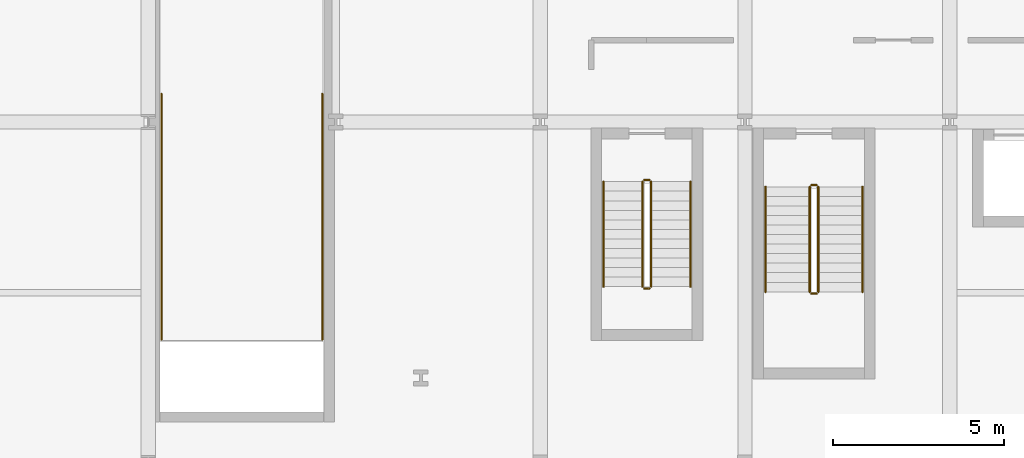
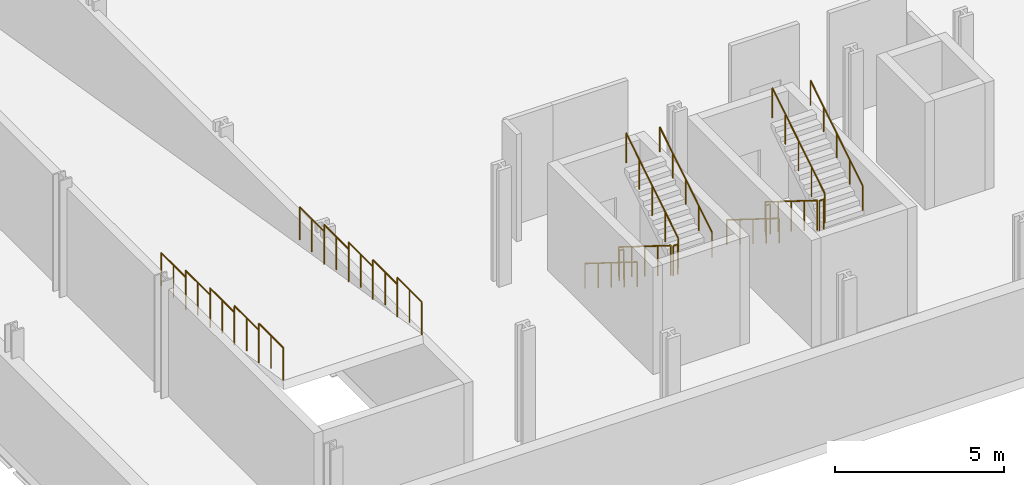
# One storey, part 10 of 12: 22 railings.
"""IFC4 building model written with IfcOpenShell, lengths in metres."""

import ifcopenshell
import ifcopenshell.guid

model = None  # the IFC model being written
_history = None  # IfcOwnerHistory: only IFC2X3 demands one
_inside = {}  # id of a spatial element -> (the spatial element, [elements in it])
_under = {}  # id of a project, library or spatial element -> (it, [spatial elements below it])
_declared = {}  # id of a project -> (the project, [libraries it declares])
_typed = {}  # id of a type object -> (the type object, [elements of that type])
_made_of = {}  # id of a material, layer set ... -> (it, [elements and type objects made of it])


def new_model(schema):
    """Start an empty IFC model of exactly this schema.

    Asked for "IFC4X3", IfcOpenShell would pick the latest addendum, in which some entities
    have other attributes; the version numbers below select the first issue.
    IFC2X3 requires an IfcOwnerHistory on every rooted entity: one is made here for all.
    """
    global model, _history
    if schema == "IFC4X3":
        model = ifcopenshell.file(schema_version=(4, 3, 0, 0))
    else:
        model = ifcopenshell.file(schema=schema)
    _inside.clear()
    _under.clear()
    _declared.clear()
    _typed.clear()
    _made_of.clear()
    _history = None
    if model.schema == "IFC2X3":
        org = make("IfcOrganization", Name="unknown")
        user = make(
            "IfcPersonAndOrganization",
            ThePerson=make("IfcPerson", FamilyName="unknown"),
            TheOrganization=org,
        )
        app = make(
            "IfcApplication",
            ApplicationDeveloper=org,
            Version="unknown",
            ApplicationFullName="unknown",
            ApplicationIdentifier="unknown",
        )
        _history = make(
            "IfcOwnerHistory",
            OwningUser=user,
            OwningApplication=app,
            ChangeAction="ADDED",
            CreationDate=0,
        )
    return model


def make(cls, **values):
    """One entity of the class cls with the attributes given. An attribute that is None is left unset."""
    return model.create_entity(
        cls, **{name: value for name, value in values.items() if value is not None}
    )


def rooted(cls, **values):
    """An entity with a GlobalId (a new one), such as an element, a storey or a relation."""
    return make(cls, GlobalId=ifcopenshell.guid.new(), OwnerHistory=_history, **values)


def si_unit(unit_type, name, prefix=None):
    """IfcSIUnit, for example si_unit("LENGTHUNIT", "METRE", prefix="MILLI")."""
    return make("IfcSIUnit", UnitType=unit_type, Prefix=prefix, Name=name)


def assignment(units):
    """IfcUnitAssignment: the units of a project."""
    return None if units is None else make("IfcUnitAssignment", Units=units)


def point(xyz):
    """IfcCartesianPoint."""
    return None if xyz is None else make("IfcCartesianPoint", Coordinates=xyz)


def direction(xyz):
    """IfcDirection."""
    return None if xyz is None else make("IfcDirection", DirectionRatios=xyz)


def frame(location, z_axis=None, x_axis=None):
    """IfcAxis2Placement3D, a coordinate frame: its origin and axes. An axis left out is left unset."""
    return make(
        "IfcAxis2Placement3D",
        Location=point(location),
        Axis=direction(z_axis),
        RefDirection=direction(x_axis),
    )


def frame_2d(location, x_axis=None):
    """IfcAxis2Placement2D, a coordinate frame in the plane: its origin and x axis."""
    return make(
        "IfcAxis2Placement2D", Location=point(location), RefDirection=direction(x_axis)
    )


def origin():
    """The frame at (0, 0, 0) with its axes left unset."""
    return frame((0.0, 0.0, 0.0))


def origin_2d():
    """The frame at (0, 0) in the plane with its x axis left unset."""
    return frame_2d((0.0, 0.0))


def place(relative_to, where):
    """IfcLocalPlacement: puts the frame where relative to a parent placement (None: the world)."""
    return make(
        "IfcLocalPlacement", PlacementRelTo=relative_to, RelativePlacement=where
    )


def context(
    kind, dimensions, precision=None, world=None, true_north=None, identifier=None
):
    """IfcGeometricRepresentationContext, for example the 3D "Model" context."""
    return make(
        "IfcGeometricRepresentationContext",
        ContextIdentifier=identifier,
        ContextType=kind,
        CoordinateSpaceDimension=dimensions,
        Precision=precision,
        WorldCoordinateSystem=world,
        TrueNorth=true_north,
    )


def subcontext(parent, identifier, kind, view, scale=None):
    """IfcGeometricRepresentationSubContext, for example "Body" below "Model"."""
    return make(
        "IfcGeometricRepresentationSubContext",
        ContextIdentifier=identifier,
        ContextType=kind,
        ParentContext=parent,
        TargetScale=scale,
        TargetView=view,
    )


def project(units=None, contexts=None):
    """IfcProject with its units and contexts."""
    return rooted(
        "IfcProject",
        Name="project",
        RepresentationContexts=contexts,
        UnitsInContext=assignment(units),
    )


def spatial(cls, under=None, at=None, **own):
    """A site, building, storey or space (cls), placed at a placement, below another one or the project."""
    s = rooted(cls, ObjectPlacement=at, **own)
    if under is not None:
        _under.setdefault(under.id(), (under, []))[1].append(s)
    return s


def profile(cls, at=None, kind="AREA", **sizes):
    """A parametric profile (cls). Its sizes go by their IFC names, for example OverallWidth=200.0."""
    return make(cls, ProfileType=kind, Position=at, **sizes)


def circle(**sizes):
    """IfcCircleProfileDef."""
    return profile("IfcCircleProfileDef", **sizes)


def extrude(swept, where, along, depth):
    """IfcExtrudedAreaSolid: the profile swept, set in the frame where, extruded along a direction by depth."""
    return make(
        "IfcExtrudedAreaSolid",
        SweptArea=swept,
        Position=where,
        ExtrudedDirection=direction(along),
        Depth=depth,
    )


def shape(context_of_items, identifier, shape_type, items):
    """IfcShapeRepresentation: the items that make up one representation, for example the "Body"."""
    return make(
        "IfcShapeRepresentation",
        ContextOfItems=context_of_items,
        RepresentationIdentifier=identifier,
        RepresentationType=shape_type,
        Items=items,
    )


def material(Name=None, Category=None):
    """IfcMaterial."""
    return make("IfcMaterial", Name=Name, Category=Category)


def made_of(thing, what):
    """Note that an element or type object is made of a material, layer set ...; save() writes the relation."""
    if what is not None:
        _made_of.setdefault(what.id(), (what, []))[1].append(thing)
    return thing


def type_object(cls, material=None, **own):
    """A type object (cls), such as IfcWallType, which elements share."""
    return made_of(rooted(cls, **own), material)


def element(
    cls,
    number,
    at=None,
    inside=None,
    cuts=None,
    type_object=None,
    material=None,
    context=None,
    identifier="Body",
    shape_type=None,
    held_by="IfcProductDefinitionShape",
    body=None,
    shapes=None,
    **own,
):
    """One element of the class cls, such as IfcWall. Its Tag is "e" and its number.

    at: its placement. inside: the storey or other place that contains it. cuts: it is an
    opening in that element (IfcRelVoidsElement). A single representation is given by context,
    identifier, shape_type and body (its items); several are given by shapes. held_by: the class
    of the entity that holds the representations. save() writes the other relations.
    """
    e = rooted(cls, Tag="e%d" % number, ObjectPlacement=at, **own)
    if body is not None:
        shapes = [shape(context, identifier, shape_type, body)]
    if shapes is not None:
        e.Representation = make(held_by, Representations=shapes)
    if inside is not None:
        _inside.setdefault(inside.id(), (inside, []))[1].append(e)
    if cuts is not None:
        rooted(
            "IfcRelVoidsElement", RelatingBuildingElement=cuts, RelatedOpeningElement=e
        )
    if type_object is not None:
        _typed.setdefault(type_object.id(), (type_object, []))[1].append(e)
    return made_of(e, material)


def aggregate(whole, parts):
    """IfcRelAggregates: a whole, such as a stair, and the parts it consists of."""
    return rooted("IfcRelAggregates", RelatingObject=whole, RelatedObjects=parts)


def save(model, path):
    """Write the relations noted so far, then the file.

    IfcRelAggregates (storeys below a building ...), IfcRelContainedInSpatialStructure (elements
    in a storey), IfcRelDefinesByType, IfcRelAssociatesMaterial and IfcRelDeclares: one each for
    every whole, place, type object, material and project.
    """
    for whole, parts in _under.values():
        aggregate(whole, parts)
    for where, things in _inside.values():
        rooted(
            "IfcRelContainedInSpatialStructure",
            RelatedElements=things,
            RelatingStructure=where,
        )
    for kind, things in _typed.values():
        rooted("IfcRelDefinesByType", RelatedObjects=things, RelatingType=kind)
    for what, things in _made_of.values():
        rooted("IfcRelAssociatesMaterial", RelatedObjects=things, RelatingMaterial=what)
    for by, libraries in _declared.values():
        rooted("IfcRelDeclares", RelatingContext=by, RelatedDefinitions=libraries)
    model.write(path)


model = new_model("IFC4")

# Units and contexts
model_context = context("Model", 3, precision=1e-05, world=origin(), true_north=direction((0.0, 1.0)))
body_context = subcontext(model_context, "Body", "Model", "MODEL_VIEW")
ifc_project = project(units=[si_unit("LENGTHUNIT", "METRE"), si_unit("AREAUNIT", "SQUARE_METRE"), si_unit("VOLUMEUNIT", "CUBIC_METRE"), si_unit("PLANEANGLEUNIT", "RADIAN"), si_unit("MASSUNIT", "GRAM", prefix="KILO")], contexts=[model_context])

# Site, building, storey
site_placement = place(None, origin())
site = spatial("IfcSite", under=ifc_project, at=site_placement, CompositionType="ELEMENT")
building_placement = place(site_placement, origin())
building = spatial("IfcBuilding", under=site, at=building_placement, Name="Brevholm Reach", CompositionType="ELEMENT")
storey_placement = place(building_placement, frame((0.0, 0.0, -4.199951171875)))
storey = spatial("IfcBuildingStorey", under=building, at=storey_placement, Name="B01", CompositionType="ELEMENT", Elevation=-4.199951171875)

# Railings
ifc_material_1 = material(Name="Brushed Stainless Steel EN 1.4401 Continuous Handrail", Category="steel")
railing_type_1 = type_object("IfcRailingType", Name="RAL-HND-950", PredefinedType="HANDRAIL", material=ifc_material_1)
railing_1_placement = place(storey_placement, frame((12.60009765625, 8.10009765625, 0.175048828125)))
element("IfcRailing", 1, at=railing_1_placement, inside=storey, type_object=railing_type_1, Name="B01 ST-1 stair handrail 1", PredefinedType="HANDRAIL", context=body_context, shape_type="SweptSolid", body=[
    extrude(circle(Radius=0.02392578125, at=origin_2d()), frame((0.0, 0.0, 0.8857421875), z_axis=(0.0, -0.848028513186, 0.529950602248), x_axis=(1.0, 0.0, 0.0)), (0.0, 0.0, 1.0), 3.632080078125),
    extrude(circle(Radius=0.02099609375, at=origin_2d()), origin(), (0.0, 0.0, 1.0), 0.86181640625),
    extrude(circle(Radius=0.02099609375, at=origin_2d()), frame((0.0, -0.77001953125, 0.481201171875)), (0.0, 0.0, 1.0), 0.86181640625),
    extrude(circle(Radius=0.02099609375, at=origin_2d()), frame((0.0, -1.5400390625, 0.96240234375)), (0.0, 0.0, 1.0), 0.86181640625),
    extrude(circle(Radius=0.02099609375, at=origin_2d()), frame((0.0, -2.31005859375, 1.443603515625)), (0.0, 0.0, 1.0), 0.86181640625),
    extrude(circle(Radius=0.02099609375, at=origin_2d()), frame((0.0, -3.080078125, 1.9248046875)), (0.0, 0.0, 1.0), 0.86181640625),
])
railing_2_placement = place(storey_placement, frame((15.449951171875, 5.02001953125, 2.27490234375)))
element("IfcRailing", 2, at=railing_2_placement, inside=storey, type_object=railing_type_1, Name="B01 ST-1 stair handrail 2", PredefinedType="HANDRAIL", context=body_context, shape_type="SweptSolid", body=[
    extrude(circle(Radius=0.02392578125, at=origin_2d()), frame((0.0, 0.0, 0.8857421875), z_axis=(0.0, 0.847998304005, 0.529998940003), x_axis=(-1.0, 0.0, 0.0)), (0.0, 0.0, 1.0), 3.632080078125),
    extrude(circle(Radius=0.02099609375, at=origin_2d()), origin(), (0.0, 0.0, 1.0), 0.86181640625),
    extrude(circle(Radius=0.02099609375, at=origin_2d()), frame((0.0, 0.77001953125, 0.481201171875)), (0.0, 0.0, 1.0), 0.86181640625),
    extrude(circle(Radius=0.02099609375, at=origin_2d()), frame((0.0, 1.5400390625, 0.96240234375)), (0.0, 0.0, 1.0), 0.86181640625),
    extrude(circle(Radius=0.02099609375, at=origin_2d()), frame((0.0, 2.31005859375, 1.44384765625)), (0.0, 0.0, 1.0), 0.86181640625),
    extrude(circle(Radius=0.02099609375, at=origin_2d()), frame((0.0, 3.080078125, 1.925048828125)), (0.0, 0.0, 1.0), 0.86181640625),
])
railing_3_placement = place(storey_placement, frame((7.85009765625, 8.25, 0.175048828125)))
element("IfcRailing", 3, at=railing_3_placement, inside=storey, type_object=railing_type_1, Name="B01 ST-B1 stair handrail 1", PredefinedType="HANDRAIL", context=body_context, shape_type="SweptSolid", body=[
    extrude(circle(Radius=0.02392578125, at=origin_2d()), frame((0.0, 0.0, 0.8857421875), z_axis=(0.0, -0.848028513186, 0.529950602248), x_axis=(1.0, 0.0, 0.0)), (0.0, 0.0, 1.0), 3.632080078125),
    extrude(circle(Radius=0.02099609375, at=origin_2d()), origin(), (0.0, 0.0, 1.0), 0.86181640625),
    extrude(circle(Radius=0.02099609375, at=origin_2d()), frame((0.0, -0.77001953125, 0.481201171875)), (0.0, 0.0, 1.0), 0.86181640625),
    extrude(circle(Radius=0.02099609375, at=origin_2d()), frame((0.0, -1.5400390625, 0.96240234375)), (0.0, 0.0, 1.0), 0.86181640625),
    extrude(circle(Radius=0.02099609375, at=origin_2d()), frame((0.0, -2.31005859375, 1.443603515625)), (0.0, 0.0, 1.0), 0.86181640625),
    extrude(circle(Radius=0.02099609375, at=origin_2d()), frame((0.0, -3.080078125, 1.9248046875)), (0.0, 0.0, 1.0), 0.86181640625),
])
railing_4_placement = place(storey_placement, frame((10.39990234375, 5.169921875, 2.27490234375)))
element("IfcRailing", 4, at=railing_4_placement, inside=storey, type_object=railing_type_1, Name="B01 ST-B1 stair handrail 2", PredefinedType="HANDRAIL", context=body_context, shape_type="SweptSolid", body=[
    extrude(circle(Radius=0.02392578125, at=origin_2d()), frame((0.0, 0.0, 0.8857421875), z_axis=(0.0, 0.847998304005, 0.529998940003), x_axis=(-1.0, 0.0, 0.0)), (0.0, 0.0, 1.0), 3.632080078125),
    extrude(circle(Radius=0.02099609375, at=origin_2d()), origin(), (0.0, 0.0, 1.0), 0.86181640625),
    extrude(circle(Radius=0.02099609375, at=origin_2d()), frame((0.0, 0.77001953125, 0.481201171875)), (0.0, 0.0, 1.0), 0.86181640625),
    extrude(circle(Radius=0.02099609375, at=origin_2d()), frame((0.0, 1.5400390625, 0.96240234375)), (0.0, 0.0, 1.0), 0.86181640625),
    extrude(circle(Radius=0.02099609375, at=origin_2d()), frame((0.0, 2.31005859375, 1.44384765625)), (0.0, 0.0, 1.0), 0.86181640625),
    extrude(circle(Radius=0.02099609375, at=origin_2d()), frame((0.0, 3.080078125, 1.925048828125)), (0.0, 0.0, 1.0), 0.86181640625),
])
ifc_material_2 = material(Name="Painted Tubular Galvanised Steel S275JR Stair Guard", Category="steel")
railing_type_2 = type_object("IfcRailingType", Name="RAL-STG-1120", PredefinedType="BALUSTRADE", material=ifc_material_2)
railing_5_placement = place(storey_placement, frame((13.89990234375, 8.10009765625, 0.175048828125)))
element("IfcRailing", 5, at=railing_5_placement, inside=storey, type_object=railing_type_2, Name="B01 ST-1 stair guard 1", PredefinedType="BALUSTRADE", context=body_context, shape_type="SweptSolid", body=[
    extrude(circle(Radius=0.02392578125, at=origin_2d()), frame((0.0, 0.0, 1.076171875), z_axis=(0.0, -0.848028513186, 0.529950602248), x_axis=(1.0, 0.0, 0.0)), (0.0, 0.0, 1.0), 3.632080078125),
    extrude(circle(Radius=0.02099609375, at=origin_2d()), origin(), (0.0, 0.0, 1.0), 1.052001953125),
    extrude(circle(Radius=0.02099609375, at=origin_2d()), frame((0.0, -0.77001953125, 0.481201171875)), (0.0, 0.0, 1.0), 1.052001953125),
    extrude(circle(Radius=0.02099609375, at=origin_2d()), frame((0.0, -1.5400390625, 0.96240234375)), (0.0, 0.0, 1.0), 1.052001953125),
    extrude(circle(Radius=0.02099609375, at=origin_2d()), frame((0.0, -2.31005859375, 1.443603515625)), (0.0, 0.0, 1.0), 1.052001953125),
    extrude(circle(Radius=0.02099609375, at=origin_2d()), frame((0.0, -3.080078125, 1.9248046875)), (0.0, 0.0, 1.0), 1.052001953125),
])
railing_6_placement = place(storey_placement, frame((13.949951171875, 4.969970703125, 2.099853515625)))
element("IfcRailing", 6, at=railing_6_placement, inside=storey, type_object=railing_type_2, Name="B01 ST-1 stair guard 2", PredefinedType="BALUSTRADE", context=body_context, shape_type="SweptSolid", body=[
    extrude(circle(Radius=0.02392578125, at=origin_2d()), frame((0.0, 0.0, 1.076171875), z_axis=(1.0, 0.0, 0.0), x_axis=(0.0, 1.0, 0.0)), (0.0, 0.0, 1.0), 0.150146484375),
    extrude(circle(Radius=0.02099609375, at=origin_2d()), origin(), (0.0, 0.0, 1.0), 1.052001953125),
    extrude(circle(Radius=0.02099609375, at=origin_2d()), frame((0.150146484375, 0.0, 0.0)), (0.0, 0.0, 1.0), 1.052001953125),
])
railing_7_placement = place(storey_placement, frame((14.14990234375, 5.02001953125, 2.27490234375)))
element("IfcRailing", 7, at=railing_7_placement, inside=storey, type_object=railing_type_2, Name="B01 ST-1 stair guard 3", PredefinedType="BALUSTRADE", context=body_context, shape_type="SweptSolid", body=[
    extrude(circle(Radius=0.02392578125, at=origin_2d()), frame((0.0, 0.0, 1.076171875), z_axis=(0.0, 0.847998304005, 0.529998940003), x_axis=(-1.0, 0.0, 0.0)), (0.0, 0.0, 1.0), 3.632080078125),
    extrude(circle(Radius=0.02099609375, at=origin_2d()), origin(), (0.0, 0.0, 1.0), 1.052001953125),
    extrude(circle(Radius=0.02099609375, at=origin_2d()), frame((0.0, 0.77001953125, 0.481201171875)), (0.0, 0.0, 1.0), 1.052001953125),
    extrude(circle(Radius=0.02099609375, at=origin_2d()), frame((0.0, 1.5400390625, 0.96240234375)), (0.0, 0.0, 1.0), 1.052001953125),
    extrude(circle(Radius=0.02099609375, at=origin_2d()), frame((0.0, 2.31005859375, 1.44384765625)), (0.0, 0.0, 1.0), 1.052001953125),
    extrude(circle(Radius=0.02099609375, at=origin_2d()), frame((0.0, 3.080078125, 1.925048828125)), (0.0, 0.0, 1.0), 1.052001953125),
])
railing_8_placement = place(storey_placement, frame((13.949951171875, 8.14990234375, 0.0)))
element("IfcRailing", 8, at=railing_8_placement, inside=storey, type_object=railing_type_2, Name="B01 ST-1 stair guard 4", PredefinedType="BALUSTRADE", context=body_context, shape_type="SweptSolid", body=[
    extrude(circle(Radius=0.02392578125, at=origin_2d()), frame((0.0, 0.0, 1.076171875), z_axis=(1.0, 0.0, 0.0), x_axis=(0.0, 1.0, 0.0)), (0.0, 0.0, 1.0), 0.150146484375),
    extrude(circle(Radius=0.02099609375, at=origin_2d()), origin(), (0.0, 0.0, 1.0), 1.052001953125),
    extrude(circle(Radius=0.02099609375, at=origin_2d()), frame((0.150146484375, 0.0, 0.0)), (0.0, 0.0, 1.0), 1.052001953125),
])
railing_9_placement = place(storey_placement, frame((9.0, 8.25, 0.175048828125)))
element("IfcRailing", 9, at=railing_9_placement, inside=storey, type_object=railing_type_2, Name="B01 ST-B1 stair guard 1", PredefinedType="BALUSTRADE", context=body_context, shape_type="SweptSolid", body=[
    extrude(circle(Radius=0.02392578125, at=origin_2d()), frame((0.0, 0.0, 1.076171875), z_axis=(0.0, -0.848028513186, 0.529950602248), x_axis=(1.0, 0.0, 0.0)), (0.0, 0.0, 1.0), 3.632080078125),
    extrude(circle(Radius=0.02099609375, at=origin_2d()), origin(), (0.0, 0.0, 1.0), 1.052001953125),
    extrude(circle(Radius=0.02099609375, at=origin_2d()), frame((0.0, -0.77001953125, 0.481201171875)), (0.0, 0.0, 1.0), 1.052001953125),
    extrude(circle(Radius=0.02099609375, at=origin_2d()), frame((0.0, -1.5400390625, 0.96240234375)), (0.0, 0.0, 1.0), 1.052001953125),
    extrude(circle(Radius=0.02099609375, at=origin_2d()), frame((0.0, -2.31005859375, 1.443603515625)), (0.0, 0.0, 1.0), 1.052001953125),
    extrude(circle(Radius=0.02099609375, at=origin_2d()), frame((0.0, -3.080078125, 1.9248046875)), (0.0, 0.0, 1.0), 1.052001953125),
])
railing_10_placement = place(storey_placement, frame((9.050048828125, 5.1201171875, 2.099853515625)))
element("IfcRailing", 10, at=railing_10_placement, inside=storey, type_object=railing_type_2, Name="B01 ST-B1 stair guard 2", PredefinedType="BALUSTRADE", context=body_context, shape_type="SweptSolid", body=[
    extrude(circle(Radius=0.02392578125, at=origin_2d()), frame((0.0, 0.0, 1.076171875), z_axis=(1.0, 0.0, 0.0), x_axis=(0.0, 1.0, 0.0)), (0.0, 0.0, 1.0), 0.14990234375),
    extrude(circle(Radius=0.02099609375, at=origin_2d()), origin(), (0.0, 0.0, 1.0), 1.052001953125),
    extrude(circle(Radius=0.02099609375, at=origin_2d()), frame((0.14990234375, 0.0, 0.0)), (0.0, 0.0, 1.0), 1.052001953125),
])
railing_11_placement = place(storey_placement, frame((9.25, 5.169921875, 2.27490234375)))
element("IfcRailing", 11, at=railing_11_placement, inside=storey, type_object=railing_type_2, Name="B01 ST-B1 stair guard 3", PredefinedType="BALUSTRADE", context=body_context, shape_type="SweptSolid", body=[
    extrude(circle(Radius=0.02392578125, at=origin_2d()), frame((0.0, 0.0, 1.076171875), z_axis=(0.0, 0.847998304005, 0.529998940003), x_axis=(-1.0, 0.0, 0.0)), (0.0, 0.0, 1.0), 3.632080078125),
    extrude(circle(Radius=0.02099609375, at=origin_2d()), origin(), (0.0, 0.0, 1.0), 1.052001953125),
    extrude(circle(Radius=0.02099609375, at=origin_2d()), frame((0.0, 0.77001953125, 0.481201171875)), (0.0, 0.0, 1.0), 1.052001953125),
    extrude(circle(Radius=0.02099609375, at=origin_2d()), frame((0.0, 1.5400390625, 0.96240234375)), (0.0, 0.0, 1.0), 1.052001953125),
    extrude(circle(Radius=0.02099609375, at=origin_2d()), frame((0.0, 2.31005859375, 1.44384765625)), (0.0, 0.0, 1.0), 1.052001953125),
    extrude(circle(Radius=0.02099609375, at=origin_2d()), frame((0.0, 3.080078125, 1.925048828125)), (0.0, 0.0, 1.0), 1.052001953125),
])
railing_12_placement = place(storey_placement, frame((9.050048828125, 8.300048828125, 0.0)))
element("IfcRailing", 12, at=railing_12_placement, inside=storey, type_object=railing_type_2, Name="B01 ST-B1 stair guard 4", PredefinedType="BALUSTRADE", context=body_context, shape_type="SweptSolid", body=[
    extrude(circle(Radius=0.02392578125, at=origin_2d()), frame((0.0, 0.0, 1.076171875), z_axis=(1.0, 0.0, 0.0), x_axis=(0.0, 1.0, 0.0)), (0.0, 0.0, 1.0), 0.14990234375),
    extrude(circle(Radius=0.02099609375, at=origin_2d()), origin(), (0.0, 0.0, 1.0), 1.052001953125),
    extrude(circle(Radius=0.02099609375, at=origin_2d()), frame((0.14990234375, 0.0, 0.0)), (0.0, 0.0, 1.0), 1.052001953125),
])
ifc_material_3 = material(Name="Brushed Stainless Steel EN 1.4401 and Laminated Glass", Category="steel")
railing_type_3 = type_object("IfcRailingType", Name="RAL-TERR-1200", PredefinedType="BALUSTRADE", material=ifc_material_3)
for number, where, name in (
    (13, (-5.110107421875, 3.6201171875, 4.196533203125), "B01 Guard Balustrade RAL-B01-VRMP-W1"),
    (14, (-0.389892578125, 3.6201171875, 4.196533203125), "B01 Guard Balustrade RAL-B01-VRMP-E1"),
    (15, (-5.110107421875, 5.06005859375, 3.958740234375), "B01 Guard Balustrade RAL-B01-VRMP-W2"),
    (16, (-0.389892578125, 5.06005859375, 3.958740234375), "B01 Guard Balustrade RAL-B01-VRMP-E2"),
    (17, (-5.110107421875, 6.5, 3.720703125), "B01 Guard Balustrade RAL-B01-VRMP-W3"),
    (18, (-0.389892578125, 6.5, 3.720703125), "B01 Guard Balustrade RAL-B01-VRMP-E3"),
    (19, (-5.110107421875, 7.93994140625, 3.48291015625), "B01 Guard Balustrade RAL-B01-VRMP-W4"),
    (20, (-0.389892578125, 7.93994140625, 3.48291015625), "B01 Guard Balustrade RAL-B01-VRMP-E4"),
):
    element("IfcRailing", number, at=place(storey_placement, frame(where)), inside=storey, type_object=railing_type_3, Name=name, PredefinedType="BALUSTRADE", context=body_context, shape_type="SweptSolid", body=[
        extrude(circle(Radius=0.02392578125, at=origin_2d()), frame((0.0, 0.0, 1.17578125), z_axis=(0.0, 1.0, 0.0), x_axis=(-1.0, 0.0, 0.0)), (0.0, 0.0, 1.0), 1.43994140625),
        extrude(circle(Radius=0.02099609375, at=origin_2d()), origin(), (0.0, 0.0, 1.0), 1.15185546875),
        extrude(circle(Radius=0.02099609375, at=origin_2d()), frame((0.0, 0.719970703125, 0.0)), (0.0, 0.0, 1.0), 1.15185546875),
        extrude(circle(Radius=0.02099609375, at=origin_2d()), frame((0.0, 1.43994140625, 0.0)), (0.0, 0.0, 1.0), 1.15185546875),
    ])
for number, where, name in (
    (21, (-5.110107421875, 9.3798828125, 3.244873046875), "B01 Guard Balustrade RAL-B01-VRMP-W5"),
    (22, (-0.389892578125, 9.3798828125, 3.244873046875), "B01 Guard Balustrade RAL-B01-VRMP-E5"),
):
    element("IfcRailing", number, at=place(storey_placement, frame(where)), inside=storey, type_object=railing_type_3, Name=name, PredefinedType="BALUSTRADE", context=body_context, shape_type="SweptSolid", body=[
        extrude(circle(Radius=0.02392578125, at=origin_2d()), frame((0.0, 0.0, 1.17578125), z_axis=(0.0, 1.0, 0.0), x_axis=(-1.0, 0.0, 0.0)), (0.0, 0.0, 1.0), 1.440185546875),
        extrude(circle(Radius=0.02099609375, at=origin_2d()), origin(), (0.0, 0.0, 1.0), 1.15185546875),
        extrude(circle(Radius=0.02099609375, at=origin_2d()), frame((0.0, 0.72021484375, 0.0)), (0.0, 0.0, 1.0), 1.15185546875),
        extrude(circle(Radius=0.02099609375, at=origin_2d()), frame((0.0, 1.440185546875, 0.0)), (0.0, 0.0, 1.0), 1.15185546875),
    ])

save(model, "model.ifc")
